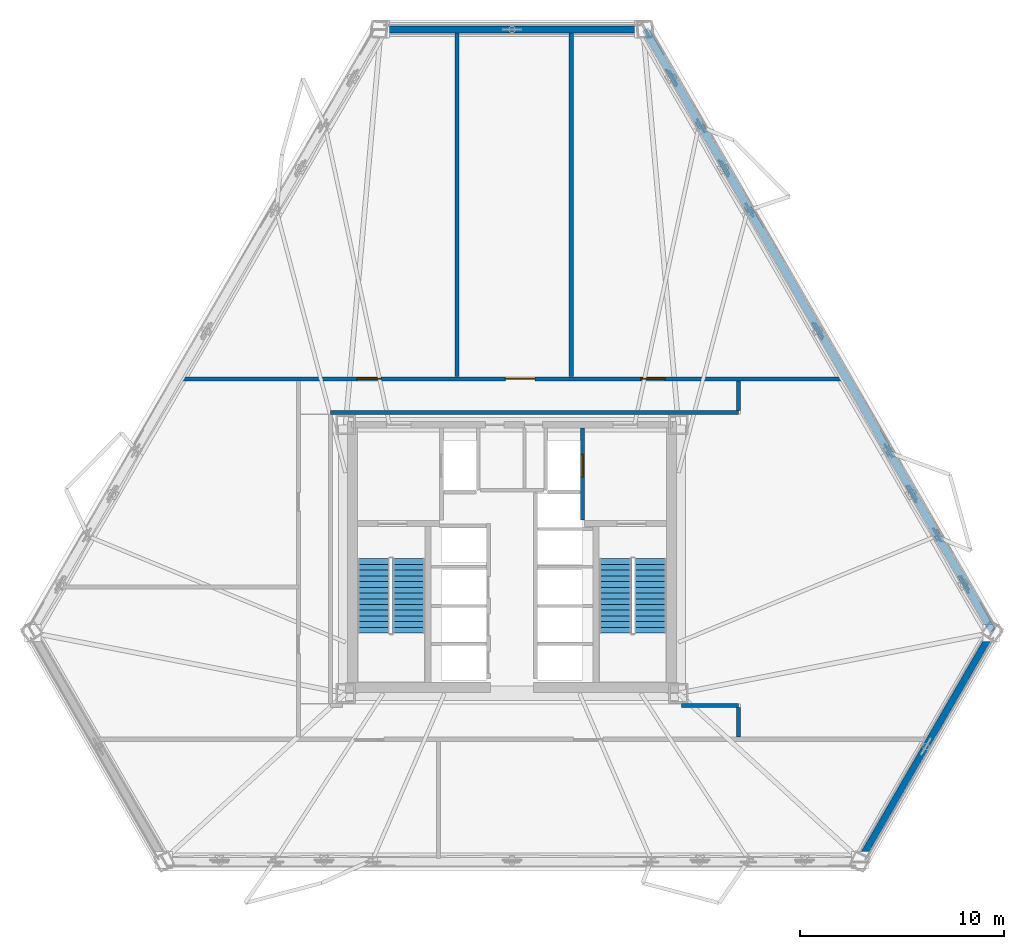
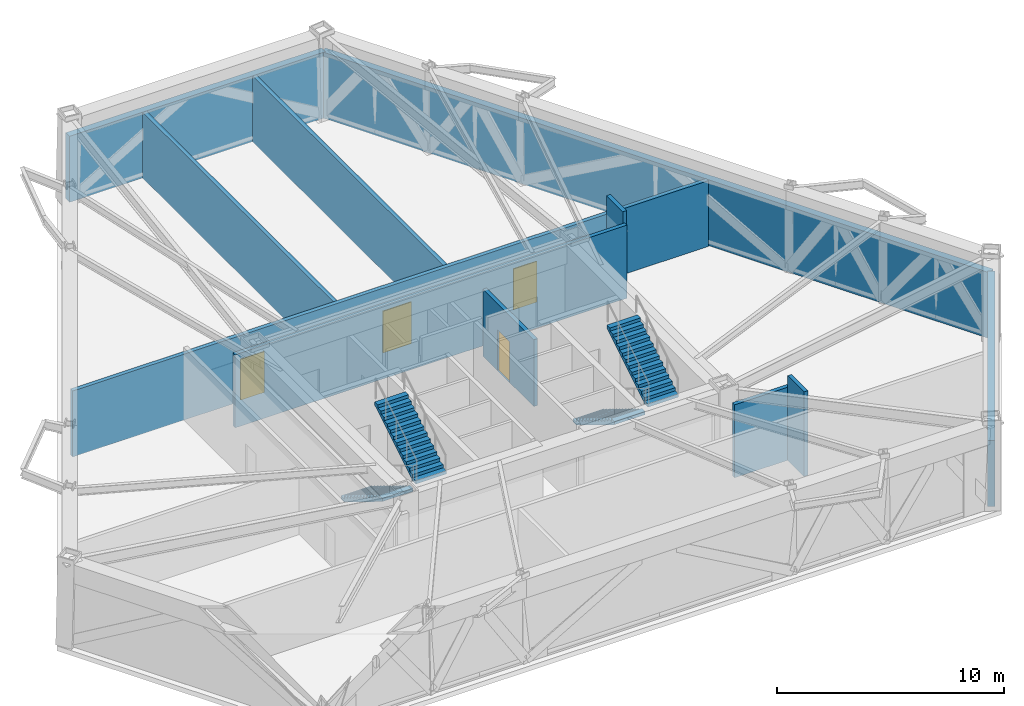
# One storey, part 8 of 11: 11 walls, 4 doors, 4 stair flights, 4 openings, 2 elements without a shape of their own.
"""IFC4 building model written with IfcOpenShell, lengths in metres."""

from ifc_helpers import new_model, si_unit, direction, frame, frame_2d, origin, place, context, subcontext, project, spatial, polyline, rectangle, outline, extrude, material, layer, layer_set, type_object, element, fill, aggregate, save


model = new_model("IFC4")

# Units and contexts
model_context = context("Model", 3, precision=1e-05, world=origin(), true_north=direction((0.0, 1.0)))
body_context = subcontext(model_context, "Body", "Model", "MODEL_VIEW")
ifc_project = project(units=[si_unit("LENGTHUNIT", "METRE"), si_unit("AREAUNIT", "SQUARE_METRE"), si_unit("VOLUMEUNIT", "CUBIC_METRE"), si_unit("PLANEANGLEUNIT", "RADIAN"), si_unit("MASSUNIT", "GRAM", prefix="KILO")], contexts=[model_context])

# Site, building, storey
site_placement = place(None, origin())
site = spatial("IfcSite", under=ifc_project, at=site_placement, CompositionType="ELEMENT")
building_placement = place(site_placement, origin())
building = spatial("IfcBuilding", under=site, at=building_placement, Name="Oramaril Tower", CompositionType="ELEMENT")
storey_placement = place(building_placement, frame((0.0, 0.0, 77.699951171875)))
storey = spatial("IfcBuildingStorey", under=building, at=storey_placement, Name="L20", CompositionType="ELEMENT", Elevation=77.699951171875)

# Walls
ifc_material_1 = material(Name="Warm Cream Limestone", Category="masonry")
ifc_layer_1 = layer(ifc_material_1, 0.340087890625)
ifc_layer_set_1 = layer_set([ifc_layer_1], Name="WT-EXT34")
wall_type_1 = type_object("IfcWallType", Name="WT-EXT34", PredefinedType="SOLIDWALL", material=ifc_layer_set_1)
wall_1_placement = place(storey_placement, frame((54.511962890625, 2.747314453125, 0.0), z_axis=(0.0, 0.0, 1.0), x_axis=(0.499986004958, 0.866033483675, 0.0)))
element("IfcWall", 1, at=wall_1_placement, inside=storey, type_object=wall_type_1, Name="L20 Tower Limestone Facade Wall 3M", PredefinedType="SOLIDWALL", context=body_context, shape_type="SweptSolid", body=[
    extrude(rectangle(XDim=13.043701171875, YDim=0.340087890625, at=frame_2d((6.52197265625, 0.0))), origin(), (0.0, 0.0, 1.0), 3.550048828125),
])
wall_2_placement = place(storey_placement, frame((61.03369140625, 14.043701171875, 0.0), z_axis=(0.0, 0.0, 1.0), x_axis=(-0.499997825845, 0.86602665903, 0.0)))
element("IfcWall", 2, at=wall_2_placement, inside=storey, type_object=wall_type_1, Name="L20 Tower Limestone Facade Wall 4M", PredefinedType="SOLIDWALL", context=body_context, shape_type="SweptSolid", body=[
    extrude(rectangle(XDim=34.023681640625, YDim=0.340087890625, at=frame_2d((17.01171875, 0.0))), origin(), (0.0, 0.0, 1.0), 3.550048828125),
])
wall_3_placement = place(storey_placement, frame((44.02197265625, 43.509033203125, 0.0), z_axis=(0.0, 0.0, 1.0), x_axis=(-1.0, 0.0, 0.0)))
element("IfcWall", 3, at=wall_3_placement, inside=storey, type_object=wall_type_1, Name="L20 Tower Limestone Facade Wall 5M", PredefinedType="SOLIDWALL", context=body_context, shape_type="SweptSolid", body=[
    extrude(rectangle(XDim=13.0439453125, YDim=0.340087890625, at=frame_2d((6.52197265625, 0.0))), origin(), (0.0, 0.0, 1.0), 3.550048828125),
])
ifc_material_2 = material(Name="Autoclaved Cellular Concrete Block", Category="concrete")
ifc_layer_2 = layer(ifc_material_2, 0.199951171875)
ifc_layer_set_2 = layer_set([ifc_layer_2], Name="WT-PT20")
wall_type_2 = type_object("IfcWallType", Name="WT-PT20", PredefinedType="PARTITIONING", material=ifc_layer_set_2)
wall_4_placement = place(storey_placement, frame((45.800048828125, 10.39990234375, 0.0), z_axis=(0.0, 0.0, 1.0), x_axis=(1.0, 0.0, 0.0)))
element("IfcWall", 4, at=wall_4_placement, inside=storey, type_object=wall_type_2, Name="L20 Interior Partition PT-20", PredefinedType="PARTITIONING", context=body_context, shape_type="SweptSolid", body=[
    extrude(rectangle(XDim=2.800048828125, YDim=0.199951171875, at=frame_2d((1.39990234375, 0.0))), origin(), (0.0, 0.0, 1.0), 3.93798828125),
])
wall_5_placement = place(storey_placement, frame((28.6201171875, 24.75, 0.0), z_axis=(0.0, 0.0, 1.0), x_axis=(1.0, 0.0, 0.0)))
element("IfcWall", 5, at=wall_5_placement, inside=storey, type_object=wall_type_2, Name="L20 Interior Partition PT-20", PredefinedType="PARTITIONING", context=body_context, shape_type="SweptSolid", body=[
    extrude(rectangle(XDim=19.97998046875, YDim=0.199951171875, at=frame_2d((9.989990234375, 0.0))), origin(), (0.0, 0.0, 1.0), 3.93798828125),
])

# Wall, openings, doors
wall_6_placement = place(storey_placement, frame((21.301025390625, 26.39990234375, 0.0), z_axis=(0.0, 0.0, 1.0), x_axis=(1.0, 0.0, 0.0)))
wall_6 = element("IfcWall", 6, at=wall_6_placement, inside=storey, type_object=wall_type_2, Name="L20 Interior Partition PT-20", PredefinedType="PARTITIONING", context=body_context, shape_type="SweptSolid", body=[
    extrude(rectangle(XDim=32.39794921875, YDim=0.199951171875, at=frame_2d((16.198974609375, 0.0))), origin(), (0.0, 0.0, 1.0), 3.550048828125),
])
opening_1_placement = place(wall_6_placement, frame((8.605224609375, 0.0, 0.0)))
opening_1 = element("IfcOpeningElement", 7, at=opening_1_placement, cuts=wall_6, Name="Opening D-L20-03", PredefinedType="OPENING", context=body_context, shape_type="SweptSolid", body=[
    extrude(rectangle(XDim=1.199951171875, YDim=2.199951171875, at=frame_2d((0.60009765625, 1.10009765625))), frame((0.0, 0.10009765625, 0.0), z_axis=(0.0, -1.0, 0.0), x_axis=(1.0, 0.0, 0.0)), (0.0, 0.0, 1.0), 0.199951171875),
])
opening_2_placement = place(wall_6_placement, frame((15.868896484375, 0.0, 0.0)))
opening_2 = element("IfcOpeningElement", 8, at=opening_2_placement, cuts=wall_6, Name="Opening D-L20-04", PredefinedType="OPENING", context=body_context, shape_type="SweptSolid", body=[
    extrude(rectangle(XDim=1.449951171875, YDim=2.25, at=frame_2d((0.72509765625, 1.125))), frame((0.0, 0.10009765625, 0.0), z_axis=(0.0, -1.0, 0.0), x_axis=(1.0, 0.0, 0.0)), (0.0, 0.0, 1.0), 0.199951171875),
])
opening_3_placement = place(wall_6_placement, frame((22.498779296875, 0.0, 0.0)))
opening_3 = element("IfcOpeningElement", 9, at=opening_3_placement, cuts=wall_6, Name="Opening D-L20-05", PredefinedType="OPENING", context=body_context, shape_type="SweptSolid", body=[
    extrude(rectangle(XDim=1.199951171875, YDim=2.199951171875, at=frame_2d((0.60009765625, 1.10009765625))), frame((0.0, 0.10009765625, 0.0), z_axis=(0.0, -1.0, 0.0), x_axis=(1.0, 0.0, 0.0)), (0.0, 0.0, 1.0), 0.199951171875),
])
ifc_material_3 = material(Name="Painted Galvanised Steel", Category="steel")
door_type_1 = type_object("IfcDoorType", Name="DT-FFL", OperationType="NOTDEFINED", PredefinedType="DOOR", material=ifc_material_3)
door_1_placement = place(opening_1_placement, origin())
door_1 = element("IfcDoor", 10, at=door_1_placement, inside=storey, type_object=door_type_1, Name="L20 L20 West Refuge Area Door D-L20-03", OperationType="SINGLE_SWING_RIGHT", OverallHeight=2.199951171875, OverallWidth=1.199951171875, PredefinedType="DOOR", context=body_context, shape_type="SweptSolid", body=[
    extrude(rectangle(XDim=1.199951171875, YDim=2.199951171875, at=frame_2d((0.60009765625, 1.10009765625))), frame((0.0, 0.02490234375, 0.0), z_axis=(0.0, -1.0, 0.0), x_axis=(1.0, 0.0, 0.0)), (0.0, 0.0, 1.0), 0.050048828125),
])
fill(opening_1, door_1)
door_2_placement = place(opening_3_placement, origin())
door_2 = element("IfcDoor", 11, at=door_2_placement, inside=storey, type_object=door_type_1, Name="L20 L20 East Refuge Area Door D-L20-05", OperationType="SINGLE_SWING_RIGHT", OverallHeight=2.199951171875, OverallWidth=1.199951171875, PredefinedType="DOOR", context=body_context, shape_type="SweptSolid", body=[
    extrude(rectangle(XDim=1.199951171875, YDim=2.199951171875, at=frame_2d((0.60009765625, 1.10009765625))), frame((0.0, 0.02490234375, 0.0), z_axis=(0.0, -1.0, 0.0), x_axis=(1.0, 0.0, 0.0)), (0.0, 0.0, 1.0), 0.050048828125),
])
fill(opening_3, door_2)
ifc_material_4 = material(Name="Painted Galvanised Steel", Category="steel")
door_type_2 = type_object("IfcDoorType", Name="DT-PLT", OperationType="NOTDEFINED", PredefinedType="DOOR", material=ifc_material_4)
door_3_placement = place(opening_2_placement, origin())
door_3 = element("IfcDoor", 12, at=door_3_placement, inside=storey, type_object=door_type_2, Name="L20 L20 Stair Pressurisation Plant Room Door D-L20-04", OperationType="SINGLE_SWING_LEFT", OverallHeight=2.25, OverallWidth=1.449951171875, PredefinedType="DOOR", context=body_context, shape_type="SweptSolid", body=[
    extrude(rectangle(XDim=1.449951171875, YDim=2.25, at=frame_2d((0.72509765625, 1.125))), frame((0.0, 0.02490234375, 0.0), z_axis=(0.0, -1.0, 0.0), x_axis=(1.0, 0.0, 0.0)), (0.0, 0.0, 1.0), 0.050048828125),
])
fill(opening_2, door_3)

# Walls
for number, where, z_axis, x_axis, name in (
    (13, (34.800048828125, 26.50390625, 0.0), (0.0, 0.0, 1.0), (0.0, 1.0, 0.0), "L20 Interior Partition PT-20"),
    (14, (40.39990234375, 26.50390625, 0.0), (0.0, 0.0, 1.0), (0.0, 1.0, 0.0), "L20 Interior Partition PT-20"),
):
    element("IfcWall", number, at=place(storey_placement, frame(where, z_axis=z_axis, x_axis=x_axis)), inside=storey, type_object=wall_type_2, Name=name, PredefinedType="PARTITIONING", context=body_context, shape_type="SweptSolid", body=[
        extrude(rectangle(XDim=16.831298828125, YDim=0.199951171875, at=frame_2d((8.41552734375, 0.0))), origin(), (0.0, 0.0, 1.0), 3.550048828125),
    ])
for number, where, z_axis, x_axis, name in (
    (15, (48.60009765625, 8.85400390625, 0.0), (0.0, 0.0, 1.0), (0.0, 1.0, 0.0), "L20 Interior Partition PT-20"),
    (16, (48.60009765625, 24.85400390625, 0.0), (0.0, 0.0, 1.0), (0.0, 1.0, 0.0), "L20 Interior Partition PT-20"),
):
    element("IfcWall", number, at=place(storey_placement, frame(where, z_axis=z_axis, x_axis=x_axis)), inside=storey, type_object=wall_type_2, Name=name, PredefinedType="PARTITIONING", context=body_context, shape_type="SweptSolid", body=[
        extrude(rectangle(XDim=1.44189453125, YDim=0.199951171875, at=frame_2d((0.720947265625, 0.0))), origin(), (0.0, 0.0, 1.0), 4.56005859375),
    ])

# Wall, opening, door
ifc_material_5 = material(Name="Autoclaved Cellular Concrete Block", Category="concrete")
ifc_layer_3 = layer(ifc_material_5, 0.199951171875)
ifc_layer_set_3 = layer_set([ifc_layer_3], Name="WT-SHF20")
wall_type_3 = type_object("IfcWallType", Name="WT-SHF20", PredefinedType="PARTITIONING", material=ifc_layer_set_3)
wall_7_placement = place(storey_placement, frame((40.9599609375, 19.47998046875, 0.0), z_axis=(0.0, 0.0, 1.0), x_axis=(0.0, 1.0, 0.0)))
wall_7 = element("IfcWall", 17, at=wall_7_placement, inside=storey, type_object=wall_type_3, Name="L20 FL-2 Lobby Shaft Wall", PredefinedType="PARTITIONING", context=body_context, shape_type="SweptSolid", body=[
    extrude(rectangle(XDim=4.5, YDim=0.199951171875, at=frame_2d((2.25, 0.0))), origin(), (0.0, 0.0, 1.0), 3.60009765625),
])
opening_4_placement = place(wall_7_placement, frame((2.1201171875, 0.0, 0.0)))
opening_4 = element("IfcOpeningElement", 18, at=opening_4_placement, cuts=wall_7, Name="Opening LD-L20-FL-2", PredefinedType="OPENING", context=body_context, shape_type="SweptSolid", body=[
    extrude(rectangle(XDim=1.10009765625, YDim=2.199951171875, at=frame_2d((0.550048828125, 1.10009765625))), frame((0.0, 0.10009765625, 0.0), z_axis=(0.0, -1.0, 0.0), x_axis=(1.0, 0.0, 0.0)), (0.0, 0.0, 1.0), 0.199951171875),
])
ifc_material_6 = material(Name="Stainless Steel 316L", Category="steel")
door_type_3 = type_object("IfcDoorType", Name="DT-LD1", OperationType="NOTDEFINED", PredefinedType="DOOR", material=ifc_material_6)
door_4_placement = place(opening_4_placement, origin())
door_4 = element("IfcDoor", 19, at=door_4_placement, inside=storey, type_object=door_type_3, Name="L20 Lift FL-2 Sliding Landing Door", OperationType="SLIDING_TO_RIGHT", OverallHeight=2.199951171875, OverallWidth=1.10009765625, PredefinedType="DOOR", context=body_context, shape_type="SweptSolid", body=[
    extrude(rectangle(XDim=1.10009765625, YDim=2.199951171875, at=frame_2d((0.550048828125, 1.10009765625))), frame((0.0, 0.02490234375, 0.0), z_axis=(0.0, -1.0, 0.0), x_axis=(1.0, 0.0, 0.0)), (0.0, 0.0, 1.0), 0.050048828125),
])
fill(opening_4, door_4)

# Stair, stair flights
ifc_material_7 = material(Name="Concrete C50/60", Category="concrete")
stair_type = type_object("IfcStairType", Name="STT-DG-4800", PredefinedType="HALF_TURN_STAIR", material=ifc_material_7)
stair_1_placement = place(storey_placement, origin())
stair_1 = element("IfcStair", 20, at=stair_1_placement, inside=storey, type_object=stair_type, Name="L20 Protected PFP Exit Stair ST-1", PredefinedType="HALF_TURN_STAIR")
ifc_material_8 = material(Name="Concrete C50/60", Category="concrete")
stair_flight_type = type_object("IfcStairFlightType", Name="SFT-DG-4800", PredefinedType="STRAIGHT", material=ifc_material_8)
stair_flight_1_placement = place(storey_placement, frame((30.72998046875, 17.590087890625, 0.0), z_axis=(0.0, 0.0, 1.0), x_axis=(0.0, -1.0, 0.0)))
stair_flight_1 = element("IfcStairFlight", 21, at=stair_flight_1_placement, type_object=stair_flight_type, Name="ST-1 flight 1", NumberOfRisers=14, NumberOfTreads=13, PredefinedType="STRAIGHT", RiserHeight=0.171428571, TreadLength=0.28, context=body_context, shape_type="SweptSolid", body=[
    extrude(outline(polyline([(0.0, 0.0), (0.0, 0.17138671875), (0.280029296875, 0.17138671875), (0.280029296875, 0.3427734375), (0.56005859375, 0.3427734375), (0.56005859375, 0.514404296875), (0.840087890625, 0.514404296875), (0.840087890625, 0.685791015625), (1.1201171875, 0.685791015625), (1.1201171875, 0.857177734375), (1.39990234375, 0.857177734375), (1.39990234375, 1.028564453125), (1.679931640625, 1.028564453125), (1.679931640625, 1.199951171875), (1.9599609375, 1.199951171875), (1.9599609375, 1.371337890625), (2.239990234375, 1.371337890625), (2.239990234375, 1.54296875), (2.52001953125, 1.54296875), (2.52001953125, 1.71435546875), (2.800048828125, 1.71435546875), (2.800048828125, 1.8857421875), (3.080078125, 1.8857421875), (3.080078125, 2.05712890625), (3.360107421875, 2.05712890625), (3.360107421875, 2.228515625), (3.639892578125, 2.228515625), (3.639892578125, 2.39990234375), (3.639892578125, 2.052734375), (0.287109375, 0.0), (0.0, 0.0)])), frame((0.0, 0.780029296875, 0.0), z_axis=(0.0, -1.0, 0.0), x_axis=(1.0, 0.0, 0.0)), (0.0, 0.0, 1.0), 1.56005859375),
])
stair_flight_2_placement = place(storey_placement, frame((32.43994140625, 13.949951171875, 2.400146484375), z_axis=(0.0, 0.0, 1.0), x_axis=(0.0, 1.0, 0.0)))
stair_flight_2 = element("IfcStairFlight", 22, at=stair_flight_2_placement, type_object=stair_flight_type, Name="ST-1 flight 2", NumberOfRisers=14, NumberOfTreads=13, PredefinedType="STRAIGHT", RiserHeight=0.171428571, TreadLength=0.28, context=body_context, shape_type="SweptSolid", body=[
    extrude(outline(polyline([(0.0, 0.0), (0.0, 0.17138671875), (0.280029296875, 0.17138671875), (0.280029296875, 0.3427734375), (0.56005859375, 0.3427734375), (0.56005859375, 0.514404296875), (0.840087890625, 0.514404296875), (0.840087890625, 0.685791015625), (1.1201171875, 0.685791015625), (1.1201171875, 0.857177734375), (1.39990234375, 0.857177734375), (1.39990234375, 1.028564453125), (1.679931640625, 1.028564453125), (1.679931640625, 1.199951171875), (1.9599609375, 1.199951171875), (1.9599609375, 1.371337890625), (2.239990234375, 1.371337890625), (2.239990234375, 1.54296875), (2.52001953125, 1.54296875), (2.52001953125, 1.71435546875), (2.800048828125, 1.71435546875), (2.800048828125, 1.8857421875), (3.080078125, 1.8857421875), (3.080078125, 2.05712890625), (3.360107421875, 2.05712890625), (3.360107421875, 2.228515625), (3.639892578125, 2.228515625), (3.639892578125, 2.39990234375), (3.639892578125, 2.052734375), (0.287109375, 0.0), (0.0, 0.0)])), frame((0.0, 0.780029296875, 0.0), z_axis=(0.0, -1.0, 0.0), x_axis=(1.0, 0.0, 0.0)), (0.0, 0.0, 1.0), 1.56005859375),
])
aggregate(stair_1, [stair_flight_1, stair_flight_2])

stair_2_placement = place(storey_placement, origin())
stair_2 = element("IfcStair", 23, at=stair_2_placement, inside=storey, type_object=stair_type, Name="L20 Protected PFP Exit Stair ST-2", PredefinedType="HALF_TURN_STAIR")
stair_flight_3_placement = place(storey_placement, frame((42.56005859375, 17.590087890625, 0.0), z_axis=(0.0, 0.0, 1.0), x_axis=(0.0, -1.0, 0.0)))
stair_flight_3 = element("IfcStairFlight", 24, at=stair_flight_3_placement, type_object=stair_flight_type, Name="ST-2 flight 1", NumberOfRisers=14, NumberOfTreads=13, PredefinedType="STRAIGHT", RiserHeight=0.171428571, TreadLength=0.28, context=body_context, shape_type="SweptSolid", body=[
    extrude(outline(polyline([(0.0, 0.0), (0.0, 0.17138671875), (0.280029296875, 0.17138671875), (0.280029296875, 0.3427734375), (0.56005859375, 0.3427734375), (0.56005859375, 0.514404296875), (0.840087890625, 0.514404296875), (0.840087890625, 0.685791015625), (1.1201171875, 0.685791015625), (1.1201171875, 0.857177734375), (1.39990234375, 0.857177734375), (1.39990234375, 1.028564453125), (1.679931640625, 1.028564453125), (1.679931640625, 1.199951171875), (1.9599609375, 1.199951171875), (1.9599609375, 1.371337890625), (2.239990234375, 1.371337890625), (2.239990234375, 1.54296875), (2.52001953125, 1.54296875), (2.52001953125, 1.71435546875), (2.800048828125, 1.71435546875), (2.800048828125, 1.8857421875), (3.080078125, 1.8857421875), (3.080078125, 2.05712890625), (3.360107421875, 2.05712890625), (3.360107421875, 2.228515625), (3.639892578125, 2.228515625), (3.639892578125, 2.39990234375), (3.639892578125, 2.052734375), (0.287109375, 0.0), (0.0, 0.0)])), frame((0.0, 0.780029296875, 0.0), z_axis=(0.0, -1.0, 0.0), x_axis=(1.0, 0.0, 0.0)), (0.0, 0.0, 1.0), 1.56005859375),
])
stair_flight_4_placement = place(storey_placement, frame((44.27001953125, 13.949951171875, 2.400146484375), z_axis=(0.0, 0.0, 1.0), x_axis=(0.0, 1.0, 0.0)))
stair_flight_4 = element("IfcStairFlight", 25, at=stair_flight_4_placement, type_object=stair_flight_type, Name="ST-2 flight 2", NumberOfRisers=14, NumberOfTreads=13, PredefinedType="STRAIGHT", RiserHeight=0.171428571, TreadLength=0.28, context=body_context, shape_type="SweptSolid", body=[
    extrude(outline(polyline([(0.0, 0.0), (0.0, 0.17138671875), (0.280029296875, 0.17138671875), (0.280029296875, 0.3427734375), (0.56005859375, 0.3427734375), (0.56005859375, 0.514404296875), (0.840087890625, 0.514404296875), (0.840087890625, 0.685791015625), (1.1201171875, 0.685791015625), (1.1201171875, 0.857177734375), (1.39990234375, 0.857177734375), (1.39990234375, 1.028564453125), (1.679931640625, 1.028564453125), (1.679931640625, 1.199951171875), (1.9599609375, 1.199951171875), (1.9599609375, 1.371337890625), (2.239990234375, 1.371337890625), (2.239990234375, 1.54296875), (2.52001953125, 1.54296875), (2.52001953125, 1.71435546875), (2.800048828125, 1.71435546875), (2.800048828125, 1.8857421875), (3.080078125, 1.8857421875), (3.080078125, 2.05712890625), (3.360107421875, 2.05712890625), (3.360107421875, 2.228515625), (3.639892578125, 2.228515625), (3.639892578125, 2.39990234375), (3.639892578125, 2.052734375), (0.287109375, 0.0), (0.0, 0.0)])), frame((0.0, 0.780029296875, 0.0), z_axis=(0.0, -1.0, 0.0), x_axis=(1.0, 0.0, 0.0)), (0.0, 0.0, 1.0), 1.56005859375),
])
aggregate(stair_2, [stair_flight_3, stair_flight_4])

save(model, "model.ifc")
